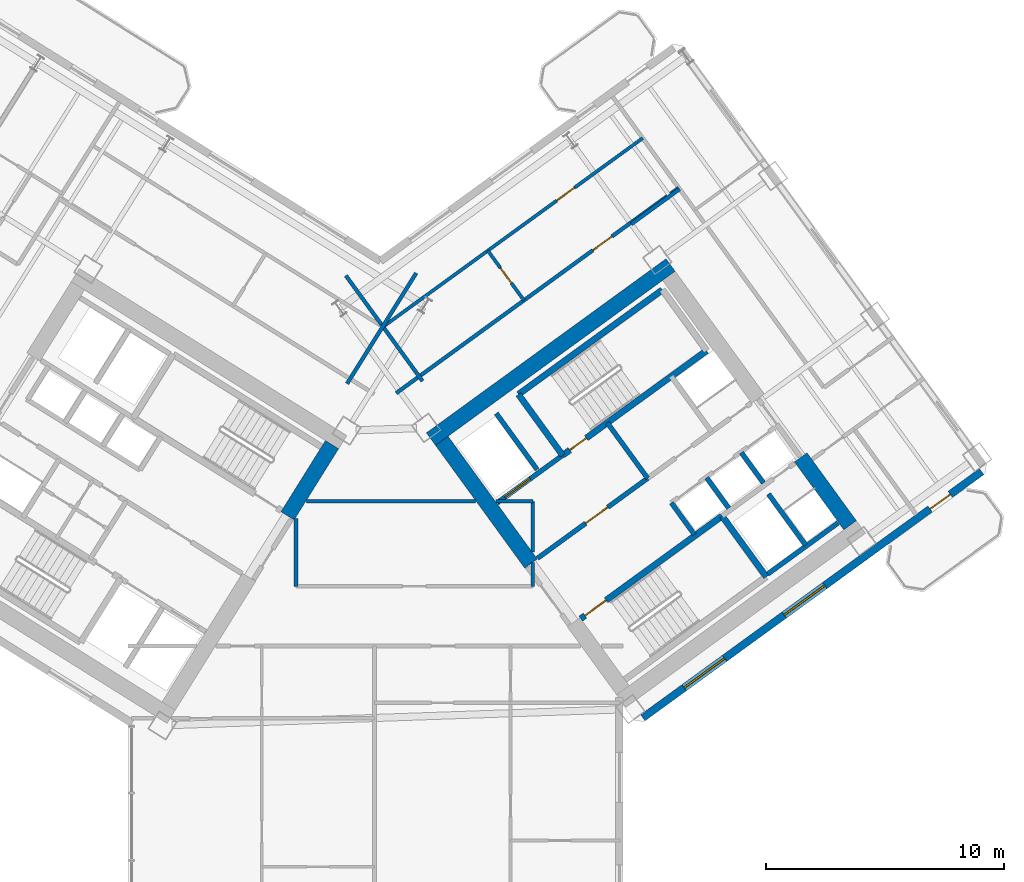
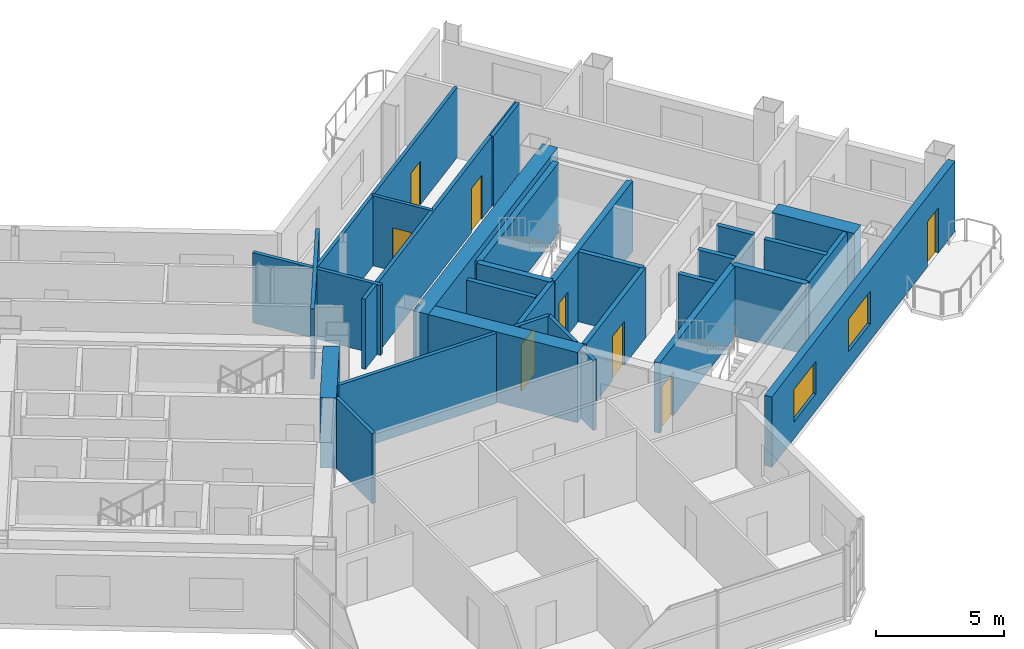
# One storey, part 14 of 21: 30 walls, 8 doors, 2 windows, 10 openings.
"""IFC4 building model written with IfcOpenShell, lengths in metres."""

from ifc_helpers import new_model, si_unit, direction, frame, frame_2d, origin, place, context, subcontext, project, spatial, rectangle, extrude, source, transform, mapped, material, layer, layer_set, type_object, element, fill, save


model = new_model("IFC4")

# Units and contexts
model_context = context("Model", 3, precision=1e-05, world=origin(), true_north=direction((0.0, 1.0)))
body_context = subcontext(model_context, "Body", "Model", "MODEL_VIEW")
ifc_project = project(units=[si_unit("LENGTHUNIT", "METRE"), si_unit("AREAUNIT", "SQUARE_METRE"), si_unit("VOLUMEUNIT", "CUBIC_METRE"), si_unit("PLANEANGLEUNIT", "RADIAN"), si_unit("MASSUNIT", "GRAM", prefix="KILO")], contexts=[model_context])

# Site, building, storey
site_placement = place(None, origin())
site = spatial("IfcSite", under=ifc_project, at=site_placement, CompositionType="ELEMENT")
building_placement = place(site_placement, origin())
building = spatial("IfcBuilding", under=site, at=building_placement, Name="Tlacorven Tower", CompositionType="ELEMENT")
storey_placement = place(building_placement, frame((0.0, 0.0, 93.60009765625)))
storey = spatial("IfcBuildingStorey", under=building, at=storey_placement, Name="L23", CompositionType="ELEMENT", Elevation=93.60009765625)

# Walls
ifc_material_1 = material(Name="Concrete C60/75", Category="concrete")
ifc_layer_1 = layer(ifc_material_1, 0.64990234375)
ifc_layer_set_1 = layer_set([ifc_layer_1], Name="Concrete C60/75")
wall_type_1 = type_object("IfcWallType", Name="WL-COR-650", PredefinedType="SHEAR", material=ifc_layer_set_1)
wall_1_placement = place(storey_placement, frame((40.167724609375, 23.880126953125, 0.0), z_axis=(0.0, 0.0, 1.0), x_axis=(-0.529893103397, -0.8480644427, 0.0)))
element("IfcWall", 1, at=wall_1_placement, inside=storey, type_object=wall_type_1, Name="L23 W core end wall E1.1", PredefinedType="SHEAR", context=body_context, shape_type="SweptSolid", body=[
    extrude(rectangle(XDim=3.525146484375, YDim=0.64990234375, at=frame_2d((1.7626953125, 0.0))), origin(), (0.0, 0.0, 1.0), 3.349853515625),
])
wall_2_placement = place(storey_placement, frame((44.32470703125, 24.113037109375, 0.0), z_axis=(0.0, 0.0, 1.0), x_axis=(0.809012664862, 0.58779121131, 0.0)))
element("IfcWall", 2, at=wall_2_placement, inside=storey, type_object=wall_type_1, Name="L23 E core shear wall S2", PredefinedType="SHEAR", context=body_context, shape_type="SweptSolid", body=[
    extrude(rectangle(XDim=12.439697265625, YDim=0.64990234375, at=frame_2d((6.2197265625, 0.0))), origin(), (0.0, 0.0, 1.0), 3.349853515625),
])
wall_3_placement = place(storey_placement, frame((48.525634765625, 18.883544921875, 0.0), z_axis=(0.0, 0.0, 1.0), x_axis=(-0.58777996584, 0.809020835181, 0.0)))
element("IfcWall", 3, at=wall_3_placement, inside=storey, type_object=wall_type_1, Name="L23 E core end wall E1.2", PredefinedType="SHEAR", context=body_context, shape_type="SweptSolid", body=[
    extrude(rectangle(XDim=6.375, YDim=0.64990234375, at=frame_2d((3.1875, 0.0))), origin(), (0.0, 0.0, 1.0), 3.349853515625),
])
wall_4_placement = place(storey_placement, frame((61.9287109375, 20.494384765625, 0.0), z_axis=(0.0, 0.0, 1.0), x_axis=(-0.58782982593, 0.808984607855, 0.0)))
element("IfcWall", 4, at=wall_4_placement, inside=storey, type_object=wall_type_1, Name="L23 E core end wall E2.1", PredefinedType="SHEAR", context=body_context, shape_type="SweptSolid", body=[
    extrude(rectangle(XDim=3.52490234375, YDim=0.64990234375, at=frame_2d((1.762451171875, 0.0))), origin(), (0.0, 0.0, 1.0), 3.349853515625),
])
ifc_material_2 = material(Name="Gypsum plasterboard acoustic partition", Category="gypsum")
ifc_layer_2 = layer(ifc_material_2, 0.159912109375)
ifc_layer_set_2 = layer_set([ifc_layer_2], Name="Gypsum plasterboard acoustic partition")
wall_type_2 = type_object("IfcWallType", Name="WL-DEM-160", PredefinedType="PARTITIONING", material=ifc_layer_set_2)
wall_5_placement = place(storey_placement, frame((43.70361328125, 31.086181640625, 0.0), z_axis=(0.0, 0.0, 1.0), x_axis=(-0.529906828443, -0.848055866774, 0.0)))
element("IfcWall", 5, at=wall_5_placement, inside=storey, type_object=wall_type_2, Name="L23 WC West Throat Wall", PredefinedType="PARTITIONING", context=body_context, shape_type="SweptSolid", body=[
    extrude(rectangle(XDim=5.479736328125, YDim=0.159912109375, at=frame_2d((2.73974609375, 0.0))), origin(), (0.0, 0.0, 1.0), 3.33984375),
])
wall_6_placement = place(storey_placement, frame((38.64990234375, 17.929931640625, 0.0), z_axis=(0.0, 0.0, 1.0), x_axis=(0.0, 1.0, 0.0)))
element("IfcWall", 6, at=wall_6_placement, inside=storey, type_object=wall_type_2, Name="L23 partition 86", PredefinedType="PARTITIONING", context=body_context, shape_type="SweptSolid", body=[
    extrude(rectangle(XDim=2.85693359375, YDim=0.159912109375, at=frame_2d((1.428466796875, 0.0))), origin(), (0.0, 0.0, 1.0), 3.33984375),
])
wall_7_placement = place(storey_placement, frame((48.60009765625, 17.929931640625, 0.0), z_axis=(0.0, 0.0, 1.0), x_axis=(0.0, 1.0, 0.0)))
element("IfcWall", 7, at=wall_7_placement, inside=storey, type_object=wall_type_2, Name="L23 partition 87", PredefinedType="PARTITIONING", context=body_context, shape_type="SweptSolid", body=[
    extrude(rectangle(XDim=0.99267578125, YDim=0.159912109375, at=frame_2d((0.496337890625, 0.0))), origin(), (0.0, 0.0, 1.0), 3.33984375),
])
wall_8_placement = place(storey_placement, frame((48.60009765625, 19.380126953125, 0.0), z_axis=(0.0, 0.0, 1.0), x_axis=(0.0, 1.0, 0.0)))
element("IfcWall", 8, at=wall_8_placement, inside=storey, type_object=wall_type_2, Name="L23 partition 87", PredefinedType="PARTITIONING", context=body_context, shape_type="SweptSolid", body=[
    extrude(rectangle(XDim=2.119873046875, YDim=0.159912109375, at=frame_2d((1.06005859375, 0.0))), origin(), (0.0, 0.0, 1.0), 3.33984375),
])
wall_9_placement = place(storey_placement, frame((39.095458984375, 21.5, 0.0), z_axis=(0.0, 0.0, 1.0), x_axis=(1.0, 0.0, 0.0)))
element("IfcWall", 9, at=wall_9_placement, inside=storey, type_object=wall_type_2, Name="L23 partition 88", PredefinedType="PARTITIONING", context=body_context, shape_type="SweptSolid", body=[
    extrude(rectangle(XDim=7.09423828125, YDim=0.159912109375, at=frame_2d((3.547119140625, 0.0))), origin(), (0.0, 0.0, 1.0), 3.33984375),
])
wall_10_placement = place(storey_placement, frame((47.059814453125, 21.5, 0.0), z_axis=(0.0, 0.0, 1.0), x_axis=(1.0, 0.0, 0.0)))
element("IfcWall", 10, at=wall_10_placement, inside=storey, type_object=wall_type_2, Name="L23 partition 88", PredefinedType="PARTITIONING", context=body_context, shape_type="SweptSolid", body=[
    extrude(rectangle(XDim=1.540283203125, YDim=0.159912109375, at=frame_2d((0.77001953125, 0.0))), origin(), (0.0, 0.0, 1.0), 3.33984375),
])
wall_11_placement = place(storey_placement, frame((52.73876953125, 33.143310546875, 0.0), z_axis=(0.0, 0.0, 1.0), x_axis=(0.809000999347, 0.58780726693, 0.0)))
element("IfcWall", 11, at=wall_11_placement, inside=storey, type_object=wall_type_2, Name="L23 partition 101", PredefinedType="PARTITIONING", context=body_context, shape_type="SweptSolid", body=[
    extrude(rectangle(XDim=2.510009765625, YDim=0.159912109375, at=frame_2d((1.2548828125, 0.0))), origin(), (0.0, 0.0, 1.0), 3.33984375),
])

# Wall, opening, door
wall_12_placement = place(storey_placement, frame((42.86572265625, 26.04443359375, 0.0), z_axis=(0.0, 0.0, 1.0), x_axis=(0.809020254154, 0.587780765566, 0.0)))
wall_12 = element("IfcWall", 12, at=wall_12_placement, inside=storey, type_object=wall_type_2, Name="L23 partition 108", PredefinedType="PARTITIONING", context=body_context, shape_type="SweptSolid", body=[
    extrude(rectangle(XDim=14.670166015625, YDim=0.159912109375, at=frame_2d((7.3349609375, 0.0))), origin(), (0.0, 0.0, 1.0), 3.33984375),
])
opening_1_placement = place(wall_12_placement, frame((10.199951171875, 0.0, 0.0)))
opening_1 = element("IfcOpeningElement", 13, at=opening_1_placement, cuts=wall_12, Name="Opening D11", PredefinedType="OPENING", context=body_context, shape_type="SweptSolid", body=[
    extrude(rectangle(XDim=1.0, YDim=2.10009765625, at=frame_2d((0.5, 1.050048828125))), frame((0.0, 0.08984375, 0.0), z_axis=(0.0, -1.0, 0.0), x_axis=(1.0, 0.0, 0.0)), (0.0, 0.0, 1.0), 0.179931640625),
])
ifc_material_3 = material(Name="Fire-rated steel door assembly", Category="steel")
door_type_1 = type_object("IfcDoorType", Name="DR-FLT-FD60-1000", OperationType="NOTDEFINED", PredefinedType="DOOR", material=ifc_material_3)
shared_shape_1 = source(origin(), body_context, "Body", "SweptSolid", [
    extrude(rectangle(XDim=1.0, YDim=2.10009765625, at=frame_2d((0.5, 1.050048828125))), frame((0.0, 0.02490234375, 0.0), z_axis=(0.0, -1.0, 0.0), x_axis=(1.0, 0.0, 0.0)), (0.0, 0.0, 1.0), 0.050048828125),
])
door_1_placement = place(opening_1_placement, origin())
door_1 = element("IfcDoor", 14, at=door_1_placement, inside=storey, type_object=door_type_1, Name="L23 door 069", OperationType="SINGLE_SWING_RIGHT", OverallHeight=2.10009765625, OverallWidth=1.0, PredefinedType="DOOR", context=body_context, shape_type="MappedRepresentation", body=[
    mapped(shared_shape_1, transform((0.0, 0.0, 0.0), scale=1.0)),
])
fill(opening_1, door_1)

# Wall
wall_13_placement = place(storey_placement, frame((43.969482421875, 26.549560546875, 0.0), z_axis=(0.0, 0.0, 1.0), x_axis=(-0.587776919386, 0.80902304852, 0.0)))
element("IfcWall", 15, at=wall_13_placement, inside=storey, type_object=wall_type_2, Name="L23 EC West Throat Wall", PredefinedType="PARTITIONING", context=body_context, shape_type="SweptSolid", body=[
    extrude(rectangle(XDim=5.47998046875, YDim=0.159912109375, at=frame_2d((2.739990234375, 0.0))), origin(), (0.0, 0.0, 1.0), 3.33984375),
])

# Wall, openings, door, windows
ifc_material_4 = material(Name="Precast concrete C45/55", Category="concrete")
ifc_layer_3 = layer(ifc_material_4, 0.320068359375)
ifc_layer_set_3 = layer_set([ifc_layer_3], Name="Precast concrete C45/55")
wall_type_3 = type_object("IfcWallType", Name="WL-EXT-320", PredefinedType="STANDARD", material=ifc_layer_set_3)
wall_14_placement = place(storey_placement, frame((67.45361328125, 22.746826171875, 0.0), z_axis=(0.0, 0.0, 1.0), x_axis=(-0.809021120468, -0.587779573171, 0.0)))
wall_14 = element("IfcWall", 16, at=wall_14_placement, inside=storey, type_object=wall_type_3, Name="L23 Masonry-Frame Recessed Facade Wall 6", PredefinedType="STANDARD", context=body_context, shape_type="SweptSolid", body=[
    extrude(rectangle(XDim=17.587646484375, YDim=0.320068359375, at=frame_2d((8.7939453125, 0.0))), origin(), (0.0, 0.0, 1.0), 3.349853515625),
])
opening_2_placement = place(wall_14_placement, frame((1.623779296875, 0.0, 0.0)))
opening_2 = element("IfcOpeningElement", 17, at=opening_2_placement, cuts=wall_14, Name="Opening D06", PredefinedType="OPENING", context=body_context, shape_type="SweptSolid", body=[
    extrude(rectangle(XDim=1.050048828125, YDim=2.14990234375, at=frame_2d((0.52490234375, 1.074951171875))), frame((0.0, 0.169921875, 0.0), z_axis=(0.0, -1.0, 0.0), x_axis=(1.0, 0.0, 0.0)), (0.0, 0.0, 1.0), 0.340087890625),
])
opening_3_placement = place(wall_14_placement, frame((8.143798828125, 0.0, 0.800048828125)))
opening_3 = element("IfcOpeningElement", 18, at=opening_3_placement, cuts=wall_14, Name="Opening WN04", PredefinedType="OPENING", context=body_context, shape_type="SweptSolid", body=[
    extrude(rectangle(XDim=2.10009765625, YDim=1.550048828125, at=frame_2d((1.050048828125, 0.77490234375))), frame((0.0, 0.169921875, 0.0), z_axis=(0.0, -1.0, 0.0), x_axis=(1.0, 0.0, 0.0)), (0.0, 0.0, 1.0), 0.340087890625),
])
opening_4_placement = place(wall_14_placement, frame((13.34375, 0.0, 0.800048828125)))
opening_4 = element("IfcOpeningElement", 19, at=opening_4_placement, cuts=wall_14, Name="Opening WN04", PredefinedType="OPENING", context=body_context, shape_type="SweptSolid", body=[
    extrude(rectangle(XDim=2.10009765625, YDim=1.550048828125, at=frame_2d((1.050048828125, 0.77490234375))), frame((0.0, 0.169921875, 0.0), z_axis=(0.0, -1.0, 0.0), x_axis=(1.0, 0.0, 0.0)), (0.0, 0.0, 1.0), 0.340087890625),
])
ifc_material_5 = material(Name="Powder-coated aluminium and timber door", Category="wood")
door_type_2 = type_object("IfcDoorType", Name="DR-EXT-BALC-1050", OperationType="NOTDEFINED", PredefinedType="DOOR", material=ifc_material_5)
shared_shape_2 = source(origin(), body_context, "Body", "SweptSolid", [
    extrude(rectangle(XDim=1.050048828125, YDim=2.14990234375, at=frame_2d((0.52490234375, 1.074951171875))), frame((0.0, 0.02490234375, 0.0), z_axis=(0.0, -1.0, 0.0), x_axis=(1.0, 0.0, 0.0)), (0.0, 0.0, 1.0), 0.050048828125),
])
door_2_placement = place(opening_2_placement, origin())
door_2 = element("IfcDoor", 20, at=door_2_placement, inside=storey, type_object=door_type_2, Name="L23 Outdoor Access Door BAL-L23-E-OUT", OperationType="SINGLE_SWING_LEFT", OverallHeight=2.14990234375, OverallWidth=1.050048828125, PredefinedType="DOOR", context=body_context, shape_type="MappedRepresentation", body=[
    mapped(shared_shape_2, transform((0.0, 0.0, 0.0), scale=1.0)),
])
fill(opening_2, door_2)
ifc_material_6 = material(Name="Dark solar low-E double glazing in anodised aluminium frame", Category="aluminium")
window_type = type_object("IfcWindowType", Name="WN-APT-2100X1750", PartitioningType="SINGLE_PANEL", PredefinedType="WINDOW", material=ifc_material_6)
shared_shape_3 = source(origin(), body_context, "Body", "SweptSolid", [
    extrude(rectangle(XDim=2.10009765625, YDim=1.550048828125, at=frame_2d((1.050048828125, 0.77490234375))), frame((0.0, 0.030029296875, 0.0), z_axis=(0.0, -1.0, 0.0), x_axis=(1.0, 0.0, 0.0)), (0.0, 0.0, 1.0), 0.06005859375),
])
window_1_placement = place(opening_3_placement, origin())
window_1 = element("IfcWindow", 21, at=window_1_placement, inside=storey, type_object=window_type, Name="L23 Recessed Masonry-Frame Window L23-06.1", OverallHeight=1.550048828125, OverallWidth=2.10009765625, PartitioningType="SINGLE_PANEL", PredefinedType="WINDOW", context=body_context, shape_type="MappedRepresentation", body=[
    mapped(shared_shape_3, transform((0.0, 0.0, 0.0), scale=1.0)),
])
fill(opening_3, window_1)
window_2_placement = place(opening_4_placement, origin())
window_2 = element("IfcWindow", 22, at=window_2_placement, inside=storey, type_object=window_type, Name="L23 Recessed Masonry-Frame Window L23-06.2", OverallHeight=1.550048828125, OverallWidth=2.10009765625, PartitioningType="SINGLE_PANEL", PredefinedType="WINDOW", context=body_context, shape_type="MappedRepresentation", body=[
    mapped(shared_shape_3, transform((0.0, 0.0, 0.0), scale=1.0)),
])
fill(opening_4, window_2)

# Wall, opening, door
ifc_material_7 = material(Name="Moisture-resistant gypsum plumbing wall", Category="gypsum")
ifc_layer_4 = layer(ifc_material_7, 0.139892578125)
ifc_layer_set_4 = layer_set([ifc_layer_4], Name="Moisture-resistant gypsum plumbing wall")
wall_type_4 = type_object("IfcWallType", Name="WL-PLM-140", PredefinedType="PLUMBINGWALL", material=ifc_layer_set_4)
wall_15_placement = place(storey_placement, frame((42.376708984375, 28.878173828125, 0.0), z_axis=(0.0, 0.0, 1.0), x_axis=(0.809020411523, 0.587780548963, 0.0)))
wall_15 = element("IfcWall", 23, at=wall_15_placement, inside=storey, type_object=wall_type_4, Name="L23 partition 110", PredefinedType="PLUMBINGWALL", context=body_context, shape_type="SweptSolid", body=[
    extrude(rectangle(XDim=13.39990234375, YDim=0.139892578125, at=frame_2d((6.699951171875, 0.0))), origin(), (0.0, 0.0, 1.0), 3.33984375),
])
opening_5_placement = place(wall_15_placement, frame((8.93994140625, 0.0, 0.0)))
opening_5 = element("IfcOpeningElement", 24, at=opening_5_placement, cuts=wall_15, Name="Opening D12", PredefinedType="OPENING", context=body_context, shape_type="SweptSolid", body=[
    extrude(rectangle(XDim=0.919921875, YDim=2.080078125, at=frame_2d((0.4599609375, 1.0400390625))), frame((0.0, 0.080078125, 0.0), z_axis=(0.0, -1.0, 0.0), x_axis=(1.0, 0.0, 0.0)), (0.0, 0.0, 1.0), 0.159912109375),
])
door_type_3 = type_object("IfcDoorType", Name="DR-INT-ROOM-0920", OperationType="NOTDEFINED", PredefinedType="DOOR", material=ifc_material_5)
shared_shape_4 = source(origin(), body_context, "Body", "SweptSolid", [
    extrude(rectangle(XDim=0.919921875, YDim=2.080078125, at=frame_2d((0.4599609375, 1.0400390625))), frame((0.0, 0.02490234375, 0.0), z_axis=(0.0, -1.0, 0.0), x_axis=(1.0, 0.0, 0.0)), (0.0, 0.0, 1.0), 0.050048828125),
])
door_3_placement = place(opening_5_placement, origin())
door_3 = element("IfcDoor", 25, at=door_3_placement, inside=storey, type_object=door_type_3, Name="L23 door 070", OperationType="SINGLE_SWING_LEFT", OverallHeight=2.080078125, OverallWidth=0.919921875, PredefinedType="DOOR", context=body_context, shape_type="MappedRepresentation", body=[
    mapped(shared_shape_4, transform((0.0, 0.0, 0.0), scale=1.0)),
])
fill(opening_5, door_3)

wall_16_placement = place(storey_placement, frame((48.2294921875, 29.94140625, 0.0), z_axis=(0.0, 0.0, 1.0), x_axis=(-0.587772116736, 0.809026537752, 0.0)))
wall_16 = element("IfcWall", 26, at=wall_16_placement, inside=storey, type_object=wall_type_4, Name="L23 partition 111", PredefinedType="PLUMBINGWALL", context=body_context, shape_type="SweptSolid", body=[
    extrude(rectangle(XDim=2.579833984375, YDim=0.139892578125, at=frame_2d((1.2900390625, 0.0))), origin(), (0.0, 0.0, 1.0), 3.33984375),
])
opening_6_placement = place(wall_16_placement, frame((0.89990234375, 0.0, 0.0)))
opening_6 = element("IfcOpeningElement", 27, at=opening_6_placement, cuts=wall_16, Name="Opening D22", PredefinedType="OPENING", context=body_context, shape_type="SweptSolid", body=[
    extrude(rectangle(XDim=0.780029296875, YDim=2.050048828125, at=frame_2d((0.39013671875, 1.02490234375))), frame((0.0, 0.080078125, 0.0), z_axis=(0.0, -1.0, 0.0), x_axis=(1.0, 0.0, 0.0)), (0.0, 0.0, 1.0), 0.159912109375),
])
door_type_4 = type_object("IfcDoorType", Name="DR-INT-WET-0780", OperationType="NOTDEFINED", PredefinedType="DOOR", material=ifc_material_5)
shared_shape_5 = source(origin(), body_context, "Body", "SweptSolid", [
    extrude(rectangle(XDim=0.780029296875, YDim=2.050048828125, at=frame_2d((0.39013671875, 1.02490234375))), frame((0.0, 0.02490234375, 0.0), z_axis=(0.0, -1.0, 0.0), x_axis=(1.0, 0.0, 0.0)), (0.0, 0.0, 1.0), 0.050048828125),
])
door_4_placement = place(opening_6_placement, origin())
door_4 = element("IfcDoor", 28, at=door_4_placement, inside=storey, type_object=door_type_4, Name="L23 door 071", OperationType="SINGLE_SWING_RIGHT", OverallHeight=2.050048828125, OverallWidth=0.780029296875, PredefinedType="DOOR", context=body_context, shape_type="MappedRepresentation", body=[
    mapped(shared_shape_5, transform((0.0, 0.0, 0.0), scale=1.0)),
])
fill(opening_6, door_4)

ifc_material_8 = material(Name="Concrete C40/50", Category="concrete")
ifc_layer_5 = layer(ifc_material_8, 0.199951171875)
ifc_layer_set_5 = layer_set([ifc_layer_5], Name="Concrete C40/50")
wall_type_5 = type_object("IfcWallType", Name="WL-SHF-200", PredefinedType="STANDARD", material=ifc_layer_set_5)
wall_17_placement = place(storey_placement, frame((47.10595703125, 21.4365234375, 0.0), z_axis=(0.0, 0.0, 1.0), x_axis=(0.809012514015, 0.58779141893, 0.0)))
wall_17 = element("IfcWall", 29, at=wall_17_placement, inside=storey, type_object=wall_type_5, Name="L23 Core E Firefighting Lift Shaft Front Wall", PredefinedType="STANDARD", context=body_context, shape_type="SweptSolid", body=[
    extrude(rectangle(XDim=3.39794921875, YDim=0.199951171875, at=frame_2d((1.698974609375, 0.0))), origin(), (0.0, 0.0, 1.0), 3.33984375),
])
opening_7_placement = place(wall_17_placement, frame((0.407958984375, 0.0, 0.0)))
opening_7 = element("IfcOpeningElement", 30, at=opening_7_placement, cuts=wall_17, Name="Opening LD03", PredefinedType="OPENING", context=body_context, shape_type="SweptSolid", body=[
    extrude(rectangle(XDim=1.300048828125, YDim=2.199951171875, at=frame_2d((0.64990234375, 1.10009765625))), frame((0.0, 0.10986328125, 0.0), z_axis=(0.0, -1.0, 0.0), x_axis=(1.0, 0.0, 0.0)), (0.0, 0.0, 1.0), 0.219970703125),
])
door_type_5 = type_object("IfcDoorType", Name="DR-LFT-SLID-1300", OperationType="DOUBLE_DOOR_SLIDING", PredefinedType="DOOR", material=ifc_material_3)
shared_shape_6 = source(origin(), body_context, "Body", "SweptSolid", [
    extrude(rectangle(XDim=1.300048828125, YDim=2.199951171875, at=frame_2d((0.64990234375, 1.10009765625))), frame((0.0, 0.02490234375, 0.0), z_axis=(0.0, -1.0, 0.0), x_axis=(1.0, 0.0, 0.0)), (0.0, 0.0, 1.0), 0.050048828125),
])
door_5_placement = place(opening_7_placement, origin())
door_5 = element("IfcDoor", 31, at=door_5_placement, inside=storey, type_object=door_type_5, Name="L23 Lift FFL-E1 Sliding Landing Door", OperationType="DOUBLE_DOOR_SLIDING", OverallHeight=2.199951171875, OverallWidth=1.300048828125, PredefinedType="DOOR", context=body_context, shape_type="MappedRepresentation", body=[
    mapped(shared_shape_6, transform((0.0, 0.0, 0.0), scale=1.0)),
])
fill(opening_7, door_5)

wall_18_placement = place(storey_placement, frame((48.798828125, 19.106689453125, 0.0), z_axis=(0.0, 0.0, 1.0), x_axis=(0.809012959416, 0.587790805897, 0.0)))
wall_18 = element("IfcWall", 32, at=wall_18_placement, inside=storey, type_object=wall_type_5, Name="L23 Core E Smoke Lobby Wall", PredefinedType="STANDARD", context=body_context, shape_type="SweptSolid", body=[
    extrude(rectangle(XDim=5.7177734375, YDim=0.199951171875, at=frame_2d((2.85888671875, 0.0))), origin(), (0.0, 0.0, 1.0), 3.33984375),
])
opening_8_placement = place(wall_18_placement, frame((2.498046875, 0.0, 0.0)))
opening_8 = element("IfcOpeningElement", 33, at=opening_8_placement, cuts=wall_18, Name="Opening D09", PredefinedType="OPENING", context=body_context, shape_type="SweptSolid", body=[
    extrude(rectangle(XDim=1.14990234375, YDim=2.10009765625, at=frame_2d((0.574951171875, 1.050048828125))), frame((0.0, 0.10986328125, 0.0), z_axis=(0.0, -1.0, 0.0), x_axis=(1.0, 0.0, 0.0)), (0.0, 0.0, 1.0), 0.219970703125),
])
door_type_6 = type_object("IfcDoorType", Name="DR-FFL-FD60-1150", OperationType="NOTDEFINED", PredefinedType="DOOR", material=ifc_material_3)
shared_shape_7 = source(origin(), body_context, "Body", "SweptSolid", [
    extrude(rectangle(XDim=1.14990234375, YDim=2.10009765625, at=frame_2d((0.574951171875, 1.050048828125))), frame((0.0, 0.02490234375, 0.0), z_axis=(0.0, -1.0, 0.0), x_axis=(1.0, 0.0, 0.0)), (0.0, 0.0, 1.0), 0.050048828125),
])
door_6_placement = place(opening_8_placement, origin())
door_6 = element("IfcDoor", 34, at=door_6_placement, inside=storey, type_object=door_type_6, Name="L23 Firefighting Lobby E Fire Door", OperationType="SINGLE_SWING_LEFT", OverallHeight=2.10009765625, OverallWidth=1.14990234375, PredefinedType="DOOR", context=body_context, shape_type="MappedRepresentation", body=[
    mapped(shared_shape_7, transform((0.0, 0.0, 0.0), scale=1.0)),
])
fill(opening_8, door_6)

# Walls
wall_19_placement = place(storey_placement, frame((55.390869140625, 20.1015625, 0.0), z_axis=(0.0, 0.0, 1.0), x_axis=(-0.58778447739, 0.809017557374, 0.0)))
element("IfcWall", 35, at=wall_19_placement, inside=storey, type_object=wall_type_5, Name="L23 partition 37", PredefinedType="STANDARD", context=body_context, shape_type="SweptSolid", body=[
    extrude(rectangle(XDim=1.64990234375, YDim=0.199951171875, at=frame_2d((0.824951171875, 0.0))), origin(), (0.0, 0.0, 1.0), 3.33984375),
])
wall_20_placement = place(storey_placement, frame((48.78564453125, 22.830078125, 0.0), z_axis=(0.0, 0.0, 1.0), x_axis=(-0.587783856777, 0.809018008275, 0.0)))
element("IfcWall", 36, at=wall_20_placement, inside=storey, type_object=wall_type_5, Name="L23 partition 38", PredefinedType="STANDARD", context=body_context, shape_type="SweptSolid", body=[
    extrude(rectangle(XDim=2.919921875, YDim=0.199951171875, at=frame_2d((1.4599609375, 0.0))), origin(), (0.0, 0.0, 1.0), 3.33984375),
])
wall_21_placement = place(storey_placement, frame((56.833984375, 21.211669921875, 0.0), z_axis=(0.0, 0.0, 1.0), x_axis=(-0.58776738483, 0.809029975545, 0.0)))
element("IfcWall", 37, at=wall_21_placement, inside=storey, type_object=wall_type_5, Name="L23 partition 39", PredefinedType="STANDARD", context=body_context, shape_type="SweptSolid", body=[
    extrude(rectangle(XDim=1.580078125, YDim=0.199951171875, at=frame_2d((0.7900390625, 0.0))), origin(), (0.0, 0.0, 1.0), 3.33984375),
])
wall_22_placement = place(storey_placement, frame((58.290283203125, 22.269775390625, 0.0), z_axis=(0.0, 0.0, 1.0), x_axis=(-0.587840865826, 0.808976585857, 0.0)))
element("IfcWall", 38, at=wall_22_placement, inside=storey, type_object=wall_type_5, Name="L23 partition 40", PredefinedType="STANDARD", context=body_context, shape_type="SweptSolid", body=[
    extrude(rectangle(XDim=1.579833984375, YDim=0.199951171875, at=frame_2d((0.7900390625, 0.0))), origin(), (0.0, 0.0, 1.0), 3.33984375),
])
wall_23_placement = place(storey_placement, frame((60.066650390625, 19.654541015625, 0.0), z_axis=(0.0, 0.0, 1.0), x_axis=(-0.587800520745, 0.809005900975, 0.0)))
element("IfcWall", 39, at=wall_23_placement, inside=storey, type_object=wall_type_5, Name="L23 partition 41", PredefinedType="STANDARD", context=body_context, shape_type="SweptSolid", body=[
    extrude(rectangle(XDim=2.659912109375, YDim=0.199951171875, at=frame_2d((1.330078125, 0.0))), origin(), (0.0, 0.0, 1.0), 3.33984375),
])
wall_24_placement = place(storey_placement, frame((58.47216796875, 18.446533203125, 0.0), z_axis=(0.0, 0.0, 1.0), x_axis=(0.809022487728, 0.587777691266, 0.0)))
element("IfcWall", 40, at=wall_24_placement, inside=storey, type_object=wall_type_5, Name="L23 partition 43", PredefinedType="STANDARD", context=body_context, shape_type="SweptSolid", body=[
    extrude(rectangle(XDim=3.648193359375, YDim=0.199951171875, at=frame_2d((1.82421875, 0.0))), origin(), (0.0, 0.0, 1.0), 3.33984375),
])
wall_25_placement = place(storey_placement, frame((53.424560546875, 22.467529296875, 0.0), z_axis=(0.0, 0.0, 1.0), x_axis=(-0.5877230039, 0.809062216821, 0.0)))
element("IfcWall", 41, at=wall_25_placement, inside=storey, type_object=wall_type_5, Name="L23 partition 45", PredefinedType="STANDARD", context=body_context, shape_type="SweptSolid", body=[
    extrude(rectangle(XDim=2.8798828125, YDim=0.199951171875, at=frame_2d((1.43994140625, 0.0))), origin(), (0.0, 0.0, 1.0), 3.33984375),
])
ifc_material_9 = material(Name="Concrete C50/60", Category="concrete")
ifc_layer_6 = layer(ifc_material_9, 0.260009765625)
ifc_layer_set_6 = layer_set([ifc_layer_6], Name="Concrete C50/60")
wall_type_6 = type_object("IfcWallType", Name="WL-STW-260", PredefinedType="SHEAR", material=ifc_layer_set_6)
wall_26_placement = place(storey_placement, frame((48.005615234375, 25.996337890625, 0.0), z_axis=(0.0, 0.0, 1.0), x_axis=(0.80901903764, 0.587782439969, 0.0)))
element("IfcWall", 42, at=wall_26_placement, inside=storey, type_object=wall_type_6, Name="L23 Stair E1 Far Shear Wall", PredefinedType="SHEAR", context=body_context, shape_type="SweptSolid", body=[
    extrude(rectangle(XDim=7.4599609375, YDim=0.260009765625, at=frame_2d((3.72998046875, 0.0))), origin(), (0.0, 0.0, 1.0), 3.349853515625),
])

# Wall, opening, door
wall_27_placement = place(storey_placement, frame((49.863037109375, 23.439697265625, 0.0), z_axis=(0.0, 0.0, 1.0), x_axis=(0.809003474932, 0.587803859759, 0.0)))
wall_27 = element("IfcWall", 43, at=wall_27_placement, inside=storey, type_object=wall_type_6, Name="L23 Stair E1 Lobby Shear Wall", PredefinedType="SHEAR", context=body_context, shape_type="SweptSolid", body=[
    extrude(rectangle(XDim=7.4599609375, YDim=0.260009765625, at=frame_2d((3.72998046875, 0.0))), origin(), (0.0, 0.0, 1.0), 3.349853515625),
])
opening_9_placement = place(wall_27_placement, frame((0.360107421875, 0.0, 0.0)))
opening_9 = element("IfcOpeningElement", 44, at=opening_9_placement, cuts=wall_27, Name="Opening D19", PredefinedType="OPENING", context=body_context, shape_type="SweptSolid", body=[
    extrude(rectangle(XDim=0.860107421875, YDim=2.050048828125, at=frame_2d((0.43017578125, 1.02490234375))), frame((0.0, 0.14013671875, 0.0), z_axis=(0.0, -1.0, 0.0), x_axis=(1.0, 0.0, 0.0)), (0.0, 0.0, 1.0), 0.280029296875),
])
door_type_7 = type_object("IfcDoorType", Name="DR-RSR-FD60-0860", OperationType="NOTDEFINED", PredefinedType="DOOR", material=ifc_material_3)
shared_shape_8 = source(origin(), body_context, "Body", "SweptSolid", [
    extrude(rectangle(XDim=0.860107421875, YDim=2.050048828125, at=frame_2d((0.43017578125, 1.02490234375))), frame((0.0, 0.02490234375, 0.0), z_axis=(0.0, -1.0, 0.0), x_axis=(1.0, 0.0, 0.0)), (0.0, 0.0, 1.0), 0.050048828125),
])
door_7_placement = place(opening_9_placement, frame((0.860107421875, 0.0, 0.0), z_axis=(0.0, 0.0, 1.0), x_axis=(-1.0, 0.0, 0.0)))
door_7 = element("IfcDoor", 45, at=door_7_placement, inside=storey, type_object=door_type_7, Name="L23 Exit Stair E1 Fire Door", OperationType="SINGLE_SWING_LEFT", OverallHeight=2.050048828125, OverallWidth=0.860107421875, PredefinedType="DOOR", context=body_context, shape_type="MappedRepresentation", body=[
    mapped(shared_shape_8, transform((0.0, 0.0, 0.0), scale=1.0)),
])
fill(opening_9, door_7)

# Wall
wall_28_placement = place(storey_placement, frame((49.85498046875, 23.433837890625, 0.0), z_axis=(0.0, 0.0, 1.0), x_axis=(-0.58776738483, 0.809029975545, 0.0)))
element("IfcWall", 46, at=wall_28_placement, inside=storey, type_object=wall_type_6, Name="L23 Stair E1 West Shear Wall", PredefinedType="SHEAR", context=body_context, shape_type="SweptSolid", body=[
    extrude(rectangle(XDim=3.16015625, YDim=0.260009765625, at=frame_2d((1.580078125, 0.0))), origin(), (0.0, 0.0, 1.0), 3.349853515625),
])

# Wall, opening, door
wall_29_placement = place(storey_placement, frame((50.61474609375, 16.569580078125, 0.0), z_axis=(0.0, 0.0, 1.0), x_axis=(0.809028366311, 0.587769599847, 0.0)))
wall_29 = element("IfcWall", 47, at=wall_29_placement, inside=storey, type_object=wall_type_6, Name="L23 Stair E2 Lobby Shear Wall", PredefinedType="SHEAR", context=body_context, shape_type="SweptSolid", body=[
    extrude(rectangle(XDim=7.330078125, YDim=0.260009765625, at=frame_2d((3.6650390625, 0.0))), origin(), (0.0, 0.0, 1.0), 3.349853515625),
])
opening_10_placement = place(wall_29_placement, frame((0.219970703125, 0.0, 0.0)))
opening_10 = element("IfcOpeningElement", 48, at=opening_10_placement, cuts=wall_29, Name="Opening D07", PredefinedType="OPENING", context=body_context, shape_type="SweptSolid", body=[
    extrude(rectangle(XDim=1.10009765625, YDim=2.10009765625, at=frame_2d((0.550048828125, 1.050048828125))), frame((0.0, 0.14013671875, 0.0), z_axis=(0.0, -1.0, 0.0), x_axis=(1.0, 0.0, 0.0)), (0.0, 0.0, 1.0), 0.280029296875),
])
door_type_8 = type_object("IfcDoorType", Name="DR-STR-FD90-1100", OperationType="NOTDEFINED", PredefinedType="DOOR", material=ifc_material_3)
shared_shape_9 = source(origin(), body_context, "Body", "SweptSolid", [
    extrude(rectangle(XDim=1.10009765625, YDim=2.10009765625, at=frame_2d((0.550048828125, 1.050048828125))), frame((0.0, 0.02490234375, 0.0), z_axis=(0.0, -1.0, 0.0), x_axis=(1.0, 0.0, 0.0)), (0.0, 0.0, 1.0), 0.050048828125),
])
door_8_placement = place(opening_10_placement, origin())
door_8 = element("IfcDoor", 49, at=door_8_placement, inside=storey, type_object=door_type_8, Name="L23 Exit Stair E2 Fire Door", OperationType="SINGLE_SWING_RIGHT", OverallHeight=2.10009765625, OverallWidth=1.10009765625, PredefinedType="DOOR", context=body_context, shape_type="MappedRepresentation", body=[
    mapped(shared_shape_9, transform((0.0, 0.0, 0.0), scale=1.0)),
])
fill(opening_10, door_8)

# Wall
wall_30_placement = place(storey_placement, frame((58.410400390625, 18.327392578125, 0.0), z_axis=(0.0, 0.0, 1.0), x_axis=(-0.58776738483, 0.809029975545, 0.0)))
element("IfcWall", 50, at=wall_30_placement, inside=storey, type_object=wall_type_6, Name="L23 Stair E2 East Shear Wall", PredefinedType="SHEAR", context=body_context, shape_type="SweptSolid", body=[
    extrude(rectangle(XDim=3.16015625, YDim=0.260009765625, at=frame_2d((1.580078125, 0.0))), origin(), (0.0, 0.0, 1.0), 3.349853515625),
])

save(model, "model.ifc")
